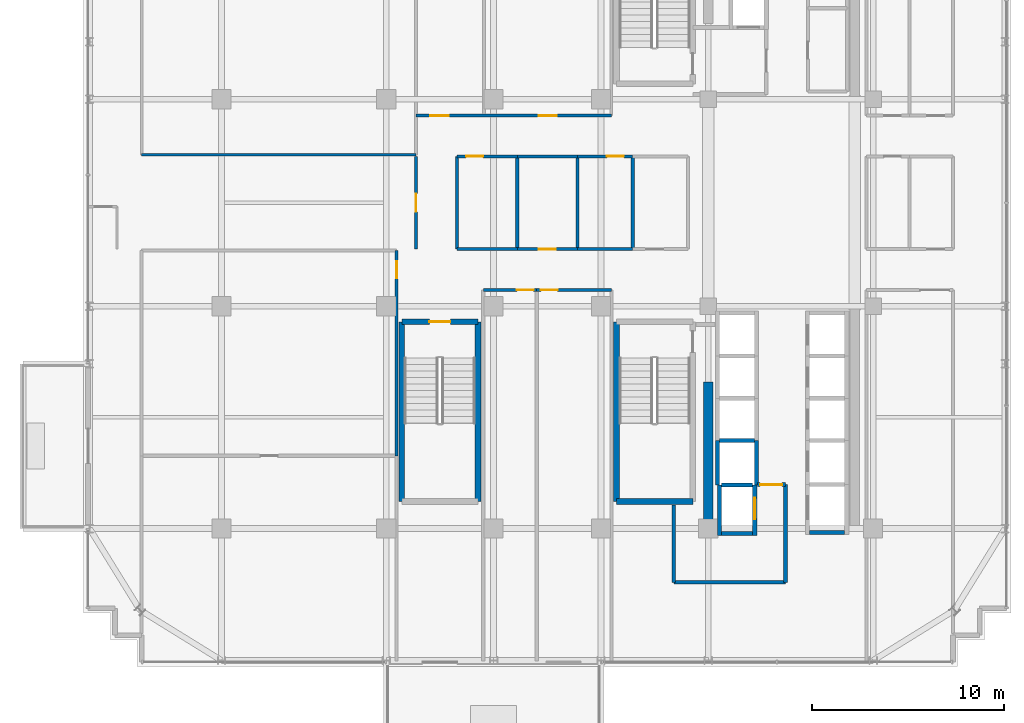
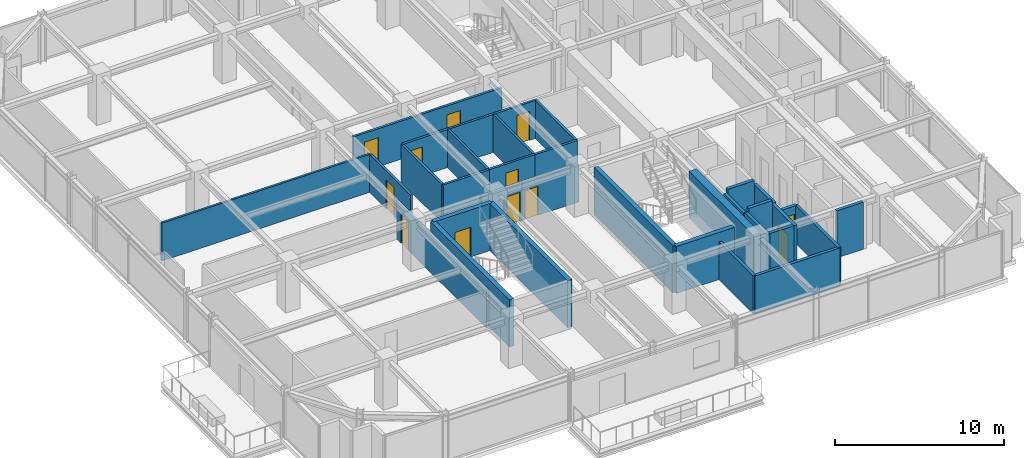
# One storey, part 26 of 32: 34 walls, 12 doors, 12 openings.
"""IFC4 building model written with IfcOpenShell, lengths in metres."""

from ifc_helpers import new_model, si_unit, direction, frame, frame_2d, origin, place, context, subcontext, project, spatial, rectangle, extrude, source, transform, mapped, material, layer, layer_set, type_object, element, fill, save


model = new_model("IFC4")

# Units and contexts
model_context = context("Model", 3, precision=1e-05, world=origin(), true_north=direction((0.0, 1.0)))
body_context = subcontext(model_context, "Body", "Model", "MODEL_VIEW")
ifc_project = project(units=[si_unit("LENGTHUNIT", "METRE"), si_unit("AREAUNIT", "SQUARE_METRE"), si_unit("VOLUMEUNIT", "CUBIC_METRE"), si_unit("PLANEANGLEUNIT", "RADIAN"), si_unit("MASSUNIT", "GRAM", prefix="KILO")], contexts=[model_context])

# Site, building, storey
site_placement = place(None, origin())
site = spatial("IfcSite", under=ifc_project, at=site_placement, CompositionType="ELEMENT")
building_placement = place(site_placement, origin())
building = spatial("IfcBuilding", under=site, at=building_placement, Name="Nahalor Promenade Grand Hotel", CompositionType="ELEMENT")
storey_placement = place(building_placement, frame((0.0, 0.0, 230.800048828125)))
storey = spatial("IfcBuildingStorey", under=building, at=storey_placement, Name="L59", CompositionType="ELEMENT", Elevation=230.800048828125)

# Walls
ifc_material_1 = material(Name="Concrete B-60 (C50/60)", Category="concrete")
ifc_layer_1 = layer(ifc_material_1, 0.5)
ifc_layer_set_1 = layer_set([ifc_layer_1], Name="Concrete B-60 (C50/60)")
wall_type_1 = type_object("IfcWallType", Name="Wall-CoreShear-500", PredefinedType="SHEAR", material=ifc_layer_set_1)
shared_shape_1 = source(origin(), body_context, "Body", "SweptSolid", [
    extrude(rectangle(XDim=7.64990234375, YDim=0.5, at=frame_2d((3.824951171875, 0.0))), origin(), (0.0, 0.0, 1.0), 3.409912109375),
])
wall_1_placement = place(storey_placement, frame((8.39990234375, -17.0, 0.0), z_axis=(0.0, 0.0, 1.0), x_axis=(0.0, 1.0, 0.0)))
element("IfcWall", 1, at=wall_1_placement, inside=storey, type_object=wall_type_1, Name="CWALL-L59-SW", PredefinedType="SHEAR", context=body_context, shape_type="MappedRepresentation", body=[
    mapped(shared_shape_1, transform((0.0, 0.0, 0.0), scale=1.0)),
])
ifc_material_2 = material(Name="Concrete B-50 (C40/50)", Category="concrete")
ifc_layer_2 = layer(ifc_material_2, 0.300048828125)
ifc_layer_set_2 = layer_set([ifc_layer_2], Name="Concrete B-50 (C40/50)")
wall_type_2 = type_object("IfcWallType", Name="Wall-ShaftShear-300", PredefinedType="SHEAR", material=ifc_layer_set_2)
shared_shape_2 = source(origin(), body_context, "Body", "SweptSolid", [
    extrude(rectangle(XDim=3.97998046875, YDim=0.300048828125, at=frame_2d((1.989990234375, 0.0))), origin(), (0.0, 0.0, 1.0), 3.409912109375),
])
wall_2_placement = place(storey_placement, frame((3.610107421875, -15.590087890625, 0.0), z_axis=(0.0, 0.0, 1.0), x_axis=(1.0, 0.0, 0.0)))
element("IfcWall", 2, at=wall_2_placement, inside=storey, type_object=wall_type_2, Name="L59 Exit Stair ST2 Shaft Wall S", PredefinedType="SHEAR", context=body_context, shape_type="MappedRepresentation", body=[
    mapped(shared_shape_2, transform((0.0, 0.0, 0.0), scale=1.0)),
])

# Wall, opening, door
wall_3_placement = place(storey_placement, frame((-7.590087890625, -6.2099609375, 0.0), z_axis=(0.0, 0.0, 1.0), x_axis=(1.0, 0.0, 0.0)))
wall_3 = element("IfcWall", 3, at=wall_3_placement, inside=storey, type_object=wall_type_2, Name="L59 Exit Stair ST3 Shaft Wall N", PredefinedType="SHEAR", context=body_context, shape_type="MappedRepresentation", body=[
    mapped(shared_shape_2, transform((0.0, 0.0, 0.0), scale=1.0)),
])
opening_1_placement = place(wall_3_placement, frame((1.43994140625, 0.0, 0.0)))
opening_1 = element("IfcOpeningElement", 4, at=opening_1_placement, cuts=wall_3, Name="Opening D-ST1", PredefinedType="OPENING", context=body_context, shape_type="SweptSolid", body=[
    extrude(rectangle(XDim=1.10009765625, YDim=2.14990234375, at=frame_2d((0.550048828125, 1.074951171875))), frame((0.0, 0.159912109375, 0.0), z_axis=(0.0, -1.0, 0.0), x_axis=(1.0, 0.0, 0.0)), (0.0, 0.0, 1.0), 0.320068359375),
])
ifc_material_3 = material(Name="Steel S355JR", Category="steel")
door_type_1 = type_object("IfcDoorType", Name="Door-StairFire-1100", OperationType="NOTDEFINED", PredefinedType="DOOR", material=ifc_material_3)
shared_shape_3 = source(origin(), body_context, "Body", "SweptSolid", [
    extrude(rectangle(XDim=1.10009765625, YDim=2.14990234375, at=frame_2d((0.550048828125, 1.074951171875))), frame((0.0, 0.02490234375, 0.0), z_axis=(0.0, -1.0, 0.0), x_axis=(1.0, 0.0, 0.0)), (0.0, 0.0, 1.0), 0.050048828125),
])
door_1_placement = place(opening_1_placement, frame((1.10009765625, 0.0, 0.0), z_axis=(0.0, 0.0, 1.0), x_axis=(-1.0, 0.0, 0.0)))
door_1 = element("IfcDoor", 5, at=door_1_placement, inside=storey, type_object=door_type_1, Name="DR-STAIR-ST3-L59", OperationType="SINGLE_SWING_RIGHT", OverallHeight=2.14990234375, OverallWidth=1.10009765625, PredefinedType="DOOR", context=body_context, shape_type="MappedRepresentation", body=[
    mapped(shared_shape_3, transform((0.0, 0.0, 0.0), scale=1.0)),
])
fill(opening_1, door_1)

# Walls
shared_shape_4 = source(origin(), body_context, "Body", "SweptSolid", [
    extrude(rectangle(XDim=9.380126953125, YDim=0.300048828125, at=frame_2d((4.68994140625, 0.0))), origin(), (0.0, 0.0, 1.0), 3.409912109375),
])
for number, where, z_axis, x_axis, name in (
    (6, (3.610107421875, -15.590087890625, 0.0), (0.0, 0.0, 1.0), (0.0, 1.0, 0.0), "L59 Exit Stair ST2 Shaft Wall W"),
    (7, (-7.590087890625, -15.590087890625, 0.0), (0.0, 0.0, 1.0), (0.0, 1.0, 0.0), "L59 Exit Stair ST3 Shaft Wall W"),
    (8, (-3.610107421875, -15.590087890625, 0.0), (0.0, 0.0, 1.0), (0.0, 1.0, 0.0), "L59 Exit Stair ST3 Shaft Wall E"),
):
    element("IfcWall", number, at=place(storey_placement, frame(where, z_axis=z_axis, x_axis=x_axis)), inside=storey, type_object=wall_type_2, Name=name, PredefinedType="SHEAR", context=body_context, shape_type="MappedRepresentation", body=[
        mapped(shared_shape_4, transform((0.0, 0.0, 0.0), scale=1.0)),
    ])
ifc_layer_3 = layer(ifc_material_2, 0.219970703125)
ifc_layer_set_3 = layer_set([ifc_layer_3], Name="Concrete B-50 (C40/50)")
wall_type_3 = type_object("IfcWallType", Name="Wall-LiftShaft-220", PredefinedType="SHEAR", material=ifc_layer_set_3)
shared_shape_5 = source(origin(), body_context, "Body", "SweptSolid", [
    extrude(rectangle(XDim=1.820068359375, YDim=0.219970703125, at=frame_2d((0.91015625, 0.0))), origin(), (0.0, 0.0, 1.0), 3.409912109375),
])
wall_4_placement = place(storey_placement, frame((13.68994140625, -17.199951171875, 0.0), z_axis=(0.0, 0.0, 1.0), x_axis=(1.0, 0.0, 0.0)))
element("IfcWall", 9, at=wall_4_placement, inside=storey, type_object=wall_type_3, Name="L59 Lift SV2 Hoistway Wall S", PredefinedType="SHEAR", context=body_context, shape_type="MappedRepresentation", body=[
    mapped(shared_shape_5, transform((0.0, 0.0, 0.0), scale=1.0)),
])
shared_shape_6 = source(origin(), body_context, "Body", "SweptSolid", [
    extrude(rectangle(XDim=1.820068359375, YDim=0.219970703125, at=frame_2d((0.91015625, 0.0))), origin(), (0.0, 0.0, 1.0), 3.699951171875),
])
wall_5_placement = place(storey_placement, frame((8.989990234375, -12.39990234375, 0.0), z_axis=(0.0, 0.0, 1.0), x_axis=(1.0, 0.0, 0.0)))
element("IfcWall", 10, at=wall_5_placement, inside=storey, type_object=wall_type_3, Name="L59 Lift PL12 Hoistway Wall N", PredefinedType="SHEAR", context=body_context, shape_type="MappedRepresentation", body=[
    mapped(shared_shape_6, transform((0.0, 0.0, 0.0), scale=1.0)),
])
shared_shape_7 = source(origin(), body_context, "Body", "SweptSolid", [
    extrude(rectangle(XDim=2.3251953125, YDim=0.219970703125, at=frame_2d((1.16259765625, 0.0))), origin(), (0.0, 0.0, 1.0), 3.409912109375),
])
for number, where, z_axis, x_axis, name in (
    (11, (8.8798828125, -14.72509765625, 0.0), (0.0, 0.0, 1.0), (0.0, 1.0, 0.0), "L59 Lift PL12 Hoistway Wall W"),
    (12, (10.919921875, -14.72509765625, 0.0), (0.0, 0.0, 1.0), (0.0, 1.0, 0.0), "L59 Lift PL12 Hoistway Wall E"),
):
    element("IfcWall", number, at=place(storey_placement, frame(where, z_axis=z_axis, x_axis=x_axis)), inside=storey, type_object=wall_type_3, Name=name, PredefinedType="SHEAR", context=body_context, shape_type="MappedRepresentation", body=[
        mapped(shared_shape_7, transform((0.0, 0.0, 0.0), scale=1.0)),
    ])
shared_shape_8 = source(origin(), body_context, "Body", "SweptSolid", [
    extrude(rectangle(XDim=2.635009765625, YDim=0.219970703125, at=frame_2d((1.3173828125, 0.0))), origin(), (0.0, 0.0, 1.0), 3.409912109375),
])
wall_6_placement = place(storey_placement, frame((8.97998046875, -17.360107421875, 0.0), z_axis=(0.0, 0.0, 1.0), x_axis=(0.0, 1.0, 0.0)))
element("IfcWall", 13, at=wall_6_placement, inside=storey, type_object=wall_type_3, Name="L59 Lift FL2 Hoistway Wall W", PredefinedType="SHEAR", context=body_context, shape_type="MappedRepresentation", body=[
    mapped(shared_shape_8, transform((0.0, 0.0, 0.0), scale=1.0)),
])

# Wall, opening, door
wall_7_placement = place(storey_placement, frame((10.820068359375, -17.360107421875, 0.0), z_axis=(0.0, 0.0, 1.0), x_axis=(0.0, 1.0, 0.0)))
wall_7 = element("IfcWall", 14, at=wall_7_placement, inside=storey, type_object=wall_type_3, Name="L59 Lift FL2 Hoistway Wall E", PredefinedType="SHEAR", context=body_context, shape_type="MappedRepresentation", body=[
    mapped(shared_shape_8, transform((0.0, 0.0, 0.0), scale=1.0)),
])
opening_2_placement = place(wall_7_placement, frame((0.860107421875, 0.0, 0.0)))
opening_2 = element("IfcOpeningElement", 15, at=opening_2_placement, cuts=wall_7, Name="Opening LD-02", PredefinedType="OPENING", context=body_context, shape_type="SweptSolid", body=[
    extrude(rectangle(XDim=1.10009765625, YDim=2.199951171875, at=frame_2d((0.550048828125, 1.10009765625))), frame((0.0, 0.119873046875, 0.0), z_axis=(0.0, -1.0, 0.0), x_axis=(1.0, 0.0, 0.0)), (0.0, 0.0, 1.0), 0.239990234375),
])
door_type_2 = type_object("IfcDoorType", Name="Door-LiftFF-1100", OperationType="DOUBLE_DOOR_SLIDING", PredefinedType="DOOR", material=ifc_material_3)
shared_shape_9 = source(origin(), body_context, "Body", "SweptSolid", [
    extrude(rectangle(XDim=1.10009765625, YDim=2.199951171875, at=frame_2d((0.550048828125, 1.10009765625))), frame((0.0, 0.02490234375, 0.0), z_axis=(0.0, -1.0, 0.0), x_axis=(1.0, 0.0, 0.0)), (0.0, 0.0, 1.0), 0.050048828125),
])
door_2_placement = place(opening_2_placement, frame((1.10009765625, 0.0, 0.0), z_axis=(0.0, 0.0, 1.0), x_axis=(-1.0, 0.0, 0.0)))
door_2 = element("IfcDoor", 16, at=door_2_placement, inside=storey, type_object=door_type_2, Name="DR-LIFT-FL2-L59", OperationType="DOUBLE_DOOR_SLIDING", OverallHeight=2.199951171875, OverallWidth=1.10009765625, PredefinedType="DOOR", context=body_context, shape_type="MappedRepresentation", body=[
    mapped(shared_shape_9, transform((0.0, 0.0, 0.0), scale=1.0)),
])
fill(opening_2, door_2)

# Walls
shared_shape_10 = source(origin(), body_context, "Body", "SweptSolid", [
    extrude(rectangle(XDim=1.619873046875, YDim=0.219970703125, at=frame_2d((0.81005859375, 0.0))), origin(), (0.0, 0.0, 1.0), 3.409912109375),
])
wall_8_placement = place(storey_placement, frame((9.090087890625, -17.25, 0.0), z_axis=(0.0, 0.0, 1.0), x_axis=(1.0, 0.0, 0.0)))
element("IfcWall", 17, at=wall_8_placement, inside=storey, type_object=wall_type_3, Name="L59 Lift FL2 Hoistway Wall S", PredefinedType="SHEAR", context=body_context, shape_type="MappedRepresentation", body=[
    mapped(shared_shape_10, transform((0.0, 0.0, 0.0), scale=1.0)),
])
shared_shape_11 = source(origin(), body_context, "Body", "SweptSolid", [
    extrude(rectangle(XDim=1.619873046875, YDim=0.219970703125, at=frame_2d((0.81005859375, 0.0))), origin(), (0.0, 0.0, 1.0), 3.699951171875),
])
wall_9_placement = place(storey_placement, frame((9.090087890625, -14.72509765625, 0.0), z_axis=(0.0, 0.0, 1.0), x_axis=(1.0, 0.0, 0.0)))
element("IfcWall", 18, at=wall_9_placement, inside=storey, type_object=wall_type_3, Name="L59 Lift FL2 Hoistway Wall N", PredefinedType="SHEAR", context=body_context, shape_type="MappedRepresentation", body=[
    mapped(shared_shape_11, transform((0.0, 0.0, 0.0), scale=1.0)),
])
ifc_material_4 = material(Name="Concrete B-40 (C32/40)", Category="concrete")
ifc_layer_4 = layer(ifc_material_4, 0.199951171875)
ifc_layer_set_4 = layer_set([ifc_layer_4], Name="Concrete B-40 (C32/40)")
wall_type_4 = type_object("IfcWallType", Name="Wall-PartFire-200", PredefinedType="PARTITIONING", material=ifc_layer_set_4)
shared_shape_12 = source(origin(), body_context, "Body", "SweptSolid", [
    extrude(rectangle(XDim=5.81982421875, YDim=0.199951171875, at=frame_2d((2.909912109375, 0.0))), origin(), (0.0, 0.0, 1.0), 2.75),
])
wall_10_placement = place(storey_placement, frame((6.60009765625, -19.800048828125, 0.0), z_axis=(0.0, 0.0, 1.0), x_axis=(1.0, 0.0, 0.0)))
element("IfcWall", 19, at=wall_10_placement, inside=storey, type_object=wall_type_4, Name="W-L59-FF2-S1", PredefinedType="PARTITIONING", context=body_context, shape_type="MappedRepresentation", body=[
    mapped(shared_shape_12, transform((0.0, 0.0, 0.0), scale=1.0)),
])
shared_shape_13 = source(origin(), body_context, "Body", "SweptSolid", [
    extrude(rectangle(XDim=4.030029296875, YDim=0.199951171875, at=frame_2d((2.01513671875, 0.0))), origin(), (0.0, 0.0, 1.0), 2.75),
])
wall_11_placement = place(storey_placement, frame((6.60009765625, -19.800048828125, 0.0), z_axis=(0.0, 0.0, 1.0), x_axis=(0.0, 1.0, 0.0)))
element("IfcWall", 20, at=wall_11_placement, inside=storey, type_object=wall_type_4, Name="W-L59-FF2-W1", PredefinedType="PARTITIONING", context=body_context, shape_type="MappedRepresentation", body=[
    mapped(shared_shape_13, transform((0.0, 0.0, 0.0), scale=1.0)),
])
shared_shape_14 = source(origin(), body_context, "Body", "SweptSolid", [
    extrude(rectangle(XDim=5.10009765625, YDim=0.199951171875, at=frame_2d((2.550048828125, 0.0))), origin(), (0.0, 0.0, 1.0), 2.75),
])
wall_12_placement = place(storey_placement, frame((12.419921875, -19.800048828125, 0.0), z_axis=(0.0, 0.0, 1.0), x_axis=(0.0, 1.0, 0.0)))
element("IfcWall", 21, at=wall_12_placement, inside=storey, type_object=wall_type_4, Name="W-L59-FF2-E", PredefinedType="PARTITIONING", context=body_context, shape_type="MappedRepresentation", body=[
    mapped(shared_shape_14, transform((0.0, 0.0, 0.0), scale=1.0)),
])

# Wall, opening, door
shared_shape_15 = source(origin(), body_context, "Body", "SweptSolid", [
    extrude(rectangle(XDim=1.4599609375, YDim=0.199951171875, at=frame_2d((0.72998046875, 0.0))), origin(), (0.0, 0.0, 1.0), 2.75),
])
wall_13_placement = place(storey_placement, frame((10.9599609375, -14.699951171875, 0.0), z_axis=(0.0, 0.0, 1.0), x_axis=(1.0, 0.0, 0.0)))
wall_13 = element("IfcWall", 22, at=wall_13_placement, inside=storey, type_object=wall_type_4, Name="W-L59-FF2-N1", PredefinedType="PARTITIONING", context=body_context, shape_type="MappedRepresentation", body=[
    mapped(shared_shape_15, transform((0.0, 0.0, 0.0), scale=1.0)),
])
opening_3_placement = place(wall_13_placement, frame((0.14501953125, 0.0, 0.0)))
opening_3 = element("IfcOpeningElement", 23, at=opening_3_placement, cuts=wall_13, Name="Opening D-FF1", PredefinedType="OPENING", context=body_context, shape_type="SweptSolid", body=[
    extrude(rectangle(XDim=1.14990234375, YDim=2.14990234375, at=frame_2d((0.574951171875, 1.074951171875))), frame((0.0, 0.10986328125, 0.0), z_axis=(0.0, -1.0, 0.0), x_axis=(1.0, 0.0, 0.0)), (0.0, 0.0, 1.0), 0.219970703125),
])
door_type_3 = type_object("IfcDoorType", Name="Door-FFLobby-1150", OperationType="NOTDEFINED", PredefinedType="DOOR", material=ifc_material_3)
shared_shape_16 = source(origin(), body_context, "Body", "SweptSolid", [
    extrude(rectangle(XDim=1.14990234375, YDim=2.14990234375, at=frame_2d((0.574951171875, 1.074951171875))), frame((0.0, 0.02490234375, 0.0), z_axis=(0.0, -1.0, 0.0), x_axis=(1.0, 0.0, 0.0)), (0.0, 0.0, 1.0), 0.050048828125),
])
door_3_placement = place(opening_3_placement, origin())
door_3 = element("IfcDoor", 24, at=door_3_placement, inside=storey, type_object=door_type_3, Name="DR-L59-FFL2", OperationType="SINGLE_SWING_LEFT", OverallHeight=2.14990234375, OverallWidth=1.14990234375, PredefinedType="DOOR", context=body_context, shape_type="MappedRepresentation", body=[
    mapped(shared_shape_16, transform((0.0, 0.0, 0.0), scale=1.0)),
])
fill(opening_3, door_3)

ifc_material_5 = material(Name="Acoustic Mineral Gypsum", Category="gypsum")
ifc_layer_5 = layer(ifc_material_5, 0.159912109375)
ifc_layer_set_5 = layer_set([ifc_layer_5], Name="Acoustic Mineral Gypsum")
wall_type_5 = type_object("IfcWallType", Name="Wall-PartCorridor-160", PredefinedType="PARTITIONING", material=ifc_layer_set_5)
shared_shape_17 = source(origin(), body_context, "Body", "SweptSolid", [
    extrude(rectangle(XDim=4.83984375, YDim=0.159912109375, at=frame_2d((2.419921875, 0.0))), origin(), (0.0, 0.0, 1.0), 2.75),
])
wall_14_placement = place(storey_placement, frame((-6.85009765625, -2.419921875, 0.0), z_axis=(0.0, 0.0, 1.0), x_axis=(0.0, 1.0, 0.0)))
wall_14 = element("IfcWall", 25, at=wall_14_placement, inside=storey, type_object=wall_type_5, Name="W-L59-WEST-E", PredefinedType="PARTITIONING", context=body_context, shape_type="MappedRepresentation", body=[
    mapped(shared_shape_17, transform((0.0, 0.0, 0.0), scale=1.0)),
])
opening_4_placement = place(wall_14_placement, frame((1.945068359375, 0.0, 0.0)))
opening_4 = element("IfcOpeningElement", 26, at=opening_4_placement, cuts=wall_14, Name="Opening D-01", PredefinedType="OPENING", context=body_context, shape_type="SweptSolid", body=[
    extrude(rectangle(XDim=0.949951171875, YDim=2.10009765625, at=frame_2d((0.47509765625, 1.050048828125))), frame((0.0, 0.08984375, 0.0), z_axis=(0.0, -1.0, 0.0), x_axis=(1.0, 0.0, 0.0)), (0.0, 0.0, 1.0), 0.179931640625),
])
ifc_material_6 = material(Name="Fire-Rated Timber Composite", Category="wood")
door_type_4 = type_object("IfcDoorType", Name="Door-GuestEntry-950", OperationType="NOTDEFINED", PredefinedType="DOOR", material=ifc_material_6)
shared_shape_18 = source(origin(), body_context, "Body", "SweptSolid", [
    extrude(rectangle(XDim=0.949951171875, YDim=2.10009765625, at=frame_2d((0.47509765625, 1.050048828125))), frame((0.0, 0.02490234375, 0.0), z_axis=(0.0, -1.0, 0.0), x_axis=(1.0, 0.0, 0.0)), (0.0, 0.0, 1.0), 0.050048828125),
])
door_4_placement = place(opening_4_placement, origin())
door_4 = element("IfcDoor", 27, at=door_4_placement, inside=storey, type_object=door_type_4, Name="DR-L59-W1-ENT", OperationType="SINGLE_SWING_LEFT", OverallHeight=2.10009765625, OverallWidth=0.949951171875, PredefinedType="DOOR", context=body_context, shape_type="MappedRepresentation", body=[
    mapped(shared_shape_18, transform((0.0, 0.0, 0.0), scale=1.0)),
])
fill(opening_4, door_4)

# Walls
for number, where, z_axis, x_axis, name in (
    (28, (-4.699951171875, -2.419921875, 0.0), (0.0, 0.0, 1.0), (0.0, 1.0, 0.0), "W-L59-CM1-W"),
    (29, (-1.56689453125, -2.419921875, 0.0), (0.0, 0.0, 1.0), (0.0, 1.0, 0.0), "W-L59-CM1-E"),
    (30, (1.56591796875, -2.419921875, 0.0), (0.0, 0.0, 1.0), (0.0, 1.0, 0.0), "W-L59-CM2-E"),
    (31, (4.4580078125, -2.419921875, 0.0), (0.0, 0.0, 1.0), (0.0, 1.0, 0.0), "W-L59-CM3-E"),
):
    element("IfcWall", number, at=place(storey_placement, frame(where, z_axis=z_axis, x_axis=x_axis)), inside=storey, type_object=wall_type_5, Name=name, PredefinedType="PARTITIONING", context=body_context, shape_type="MappedRepresentation", body=[
        mapped(shared_shape_17, transform((0.0, 0.0, 0.0), scale=1.0)),
    ])

# Wall, opening, door
shared_shape_19 = source(origin(), body_context, "Body", "SweptSolid", [
    extrude(rectangle(XDim=2.7900390625, YDim=0.159912109375, at=frame_2d((1.39501953125, 0.0))), origin(), (0.0, 0.0, 1.0), 2.75),
])
wall_15_placement = place(storey_placement, frame((-3.340087890625, -4.550048828125, 0.0), z_axis=(0.0, 0.0, 1.0), x_axis=(1.0, 0.0, 0.0)))
wall_15 = element("IfcWall", 32, at=wall_15_placement, inside=storey, type_object=wall_type_5, Name="W-L59-SCB1-N", PredefinedType="PARTITIONING", context=body_context, shape_type="MappedRepresentation", body=[
    mapped(shared_shape_19, transform((0.0, 0.0, 0.0), scale=1.0)),
])
opening_5_placement = place(wall_15_placement, frame((1.75, 0.0, 0.0)))
opening_5 = element("IfcOpeningElement", 33, at=opening_5_placement, cuts=wall_15, Name="Opening D-03", PredefinedType="OPENING", context=body_context, shape_type="SweptSolid", body=[
    extrude(rectangle(XDim=0.8798828125, YDim=2.10009765625, at=frame_2d((0.43994140625, 1.050048828125))), frame((0.0, 0.08984375, 0.0), z_axis=(0.0, -1.0, 0.0), x_axis=(1.0, 0.0, 0.0)), (0.0, 0.0, 1.0), 0.179931640625),
])
door_type_5 = type_object("IfcDoorType", Name="Door-BathSwing-880", OperationType="NOTDEFINED", PredefinedType="DOOR", material=ifc_material_6)
shared_shape_20 = source(origin(), body_context, "Body", "SweptSolid", [
    extrude(rectangle(XDim=0.8798828125, YDim=2.10009765625, at=frame_2d((0.43994140625, 1.050048828125))), frame((0.0, 0.02490234375, 0.0), z_axis=(0.0, -1.0, 0.0), x_axis=(1.0, 0.0, 0.0)), (0.0, 0.0, 1.0), 0.050048828125),
])
door_5_placement = place(opening_5_placement, frame((0.8798828125, 0.0, 0.0), z_axis=(0.0, 0.0, 1.0), x_axis=(-1.0, 0.0, 0.0)))
door_5 = element("IfcDoor", 34, at=door_5_placement, inside=storey, type_object=door_type_5, Name="DR-L59-SCB1", OperationType="SINGLE_SWING_RIGHT", OverallHeight=2.10009765625, OverallWidth=0.8798828125, PredefinedType="DOOR", context=body_context, shape_type="MappedRepresentation", body=[
    mapped(shared_shape_20, transform((0.0, 0.0, 0.0), scale=1.0)),
])
fill(opening_5, door_5)

shared_shape_21 = source(origin(), body_context, "Body", "SweptSolid", [
    extrude(rectangle(XDim=3.89013671875, YDim=0.159912109375, at=frame_2d((1.945068359375, 0.0))), origin(), (0.0, 0.0, 1.0), 2.75),
])
wall_16_placement = place(storey_placement, frame((-0.550048828125, -4.550048828125, 0.0), z_axis=(0.0, 0.0, 1.0), x_axis=(1.0, 0.0, 0.0)))
wall_16 = element("IfcWall", 35, at=wall_16_placement, inside=storey, type_object=wall_type_5, Name="W-L59-SCB2-N", PredefinedType="PARTITIONING", context=body_context, shape_type="MappedRepresentation", body=[
    mapped(shared_shape_21, transform((0.0, 0.0, 0.0), scale=1.0)),
])
opening_6_placement = place(wall_16_placement, frame((0.2099609375, 0.0, 0.0)))
opening_6 = element("IfcOpeningElement", 36, at=opening_6_placement, cuts=wall_16, Name="Opening D-03", PredefinedType="OPENING", context=body_context, shape_type="SweptSolid", body=[
    extrude(rectangle(XDim=0.8798828125, YDim=2.10009765625, at=frame_2d((0.43994140625, 1.050048828125))), frame((0.0, 0.08984375, 0.0), z_axis=(0.0, -1.0, 0.0), x_axis=(1.0, 0.0, 0.0)), (0.0, 0.0, 1.0), 0.179931640625),
])
door_6_placement = place(opening_6_placement, frame((0.8798828125, 0.0, 0.0), z_axis=(0.0, 0.0, 1.0), x_axis=(-1.0, 0.0, 0.0)))
door_6 = element("IfcDoor", 37, at=door_6_placement, inside=storey, type_object=door_type_5, Name="DR-L59-SCB2", OperationType="SINGLE_SWING_LEFT", OverallHeight=2.10009765625, OverallWidth=0.8798828125, PredefinedType="DOOR", context=body_context, shape_type="MappedRepresentation", body=[
    mapped(shared_shape_20, transform((0.0, 0.0, 0.0), scale=1.0)),
])
fill(opening_6, door_6)

shared_shape_22 = source(origin(), body_context, "Body", "SweptSolid", [
    extrude(rectangle(XDim=10.699951171875, YDim=0.159912109375, at=frame_2d((5.35009765625, 0.0))), origin(), (0.0, 0.0, 1.0), 2.75),
])
wall_17_placement = place(storey_placement, frame((-7.860107421875, -13.199951171875, 0.0), z_axis=(0.0, 0.0, 1.0), x_axis=(0.0, 1.0, 0.0)))
wall_17 = element("IfcWall", 38, at=wall_17_placement, inside=storey, type_object=wall_type_5, Name="W-L59-SW0B-E", PredefinedType="PARTITIONING", context=body_context, shape_type="MappedRepresentation", body=[
    mapped(shared_shape_22, transform((0.0, 0.0, 0.0), scale=1.0)),
])
opening_7_placement = place(wall_17_placement, frame((9.260009765625, 0.0, 0.0)))
opening_7 = element("IfcOpeningElement", 39, at=opening_7_placement, cuts=wall_17, Name="Opening D-03", PredefinedType="OPENING", context=body_context, shape_type="SweptSolid", body=[
    extrude(rectangle(XDim=0.8798828125, YDim=2.10009765625, at=frame_2d((0.43994140625, 1.050048828125))), frame((0.0, 0.08984375, 0.0), z_axis=(0.0, -1.0, 0.0), x_axis=(1.0, 0.0, 0.0)), (0.0, 0.0, 1.0), 0.179931640625),
])
door_7_placement = place(opening_7_placement, origin())
door_7 = element("IfcDoor", 40, at=door_7_placement, inside=storey, type_object=door_type_5, Name="DR-L59-SW0B", OperationType="SINGLE_SWING_LEFT", OverallHeight=2.10009765625, OverallWidth=0.8798828125, PredefinedType="DOOR", context=body_context, shape_type="MappedRepresentation", body=[
    mapped(shared_shape_20, transform((0.0, 0.0, 0.0), scale=1.0)),
])
fill(opening_7, door_7)

# Wall, openings, doors
shared_shape_23 = source(origin(), body_context, "Body", "SweptSolid", [
    extrude(rectangle(XDim=10.190185546875, YDim=0.159912109375, at=frame_2d((5.09521484375, 0.0))), origin(), (0.0, 0.0, 1.0), 2.75),
])
wall_18_placement = place(storey_placement, frame((-6.85009765625, 4.550048828125, 0.0), z_axis=(0.0, 0.0, 1.0), x_axis=(1.0, 0.0, 0.0)))
wall_18 = element("IfcWall", 41, at=wall_18_placement, inside=storey, type_object=wall_type_5, Name="W-L59-CORR-N", PredefinedType="PARTITIONING", context=body_context, shape_type="MappedRepresentation", body=[
    mapped(shared_shape_23, transform((0.0, 0.0, 0.0), scale=1.0)),
])
opening_8_placement = place(wall_18_placement, frame((0.7548828125, 0.0, 0.0)))
opening_8 = element("IfcOpeningElement", 42, at=opening_8_placement, cuts=wall_18, Name="Opening D-01", PredefinedType="OPENING", context=body_context, shape_type="SweptSolid", body=[
    extrude(rectangle(XDim=0.949951171875, YDim=2.10009765625, at=frame_2d((0.47509765625, 1.050048828125))), frame((0.0, 0.08984375, 0.0), z_axis=(0.0, -1.0, 0.0), x_axis=(1.0, 0.0, 0.0)), (0.0, 0.0, 1.0), 0.179931640625),
])
opening_9_placement = place(wall_18_placement, frame((6.39501953125, 0.0, 0.0)))
opening_9 = element("IfcOpeningElement", 43, at=opening_9_placement, cuts=wall_18, Name="Opening D-01", PredefinedType="OPENING", context=body_context, shape_type="SweptSolid", body=[
    extrude(rectangle(XDim=0.949951171875, YDim=2.10009765625, at=frame_2d((0.47509765625, 1.050048828125))), frame((0.0, 0.08984375, 0.0), z_axis=(0.0, -1.0, 0.0), x_axis=(1.0, 0.0, 0.0)), (0.0, 0.0, 1.0), 0.179931640625),
])
door_8_placement = place(opening_8_placement, origin())
door_8 = element("IfcDoor", 44, at=door_8_placement, inside=storey, type_object=door_type_4, Name="DR-L59-N1-ENT", OperationType="SINGLE_SWING_LEFT", OverallHeight=2.10009765625, OverallWidth=0.949951171875, PredefinedType="DOOR", context=body_context, shape_type="MappedRepresentation", body=[
    mapped(shared_shape_18, transform((0.0, 0.0, 0.0), scale=1.0)),
])
fill(opening_8, door_8)
door_9_placement = place(opening_9_placement, origin())
door_9 = element("IfcDoor", 45, at=door_9_placement, inside=storey, type_object=door_type_4, Name="DR-L59-N2-ENT", OperationType="SINGLE_SWING_LEFT", OverallHeight=2.10009765625, OverallWidth=0.949951171875, PredefinedType="DOOR", context=body_context, shape_type="MappedRepresentation", body=[
    mapped(shared_shape_18, transform((0.0, 0.0, 0.0), scale=1.0)),
])
fill(opening_9, door_9)

# Walls
ifc_layer_6 = layer(ifc_material_5, 0.139892578125)
ifc_layer_set_6 = layer_set([ifc_layer_6], Name="Acoustic Mineral Gypsum")
wall_type_6 = type_object("IfcWallType", Name="Wall-PartSuite-140", PredefinedType="PARTITIONING", material=ifc_layer_set_6)
shared_shape_24 = source(origin(), body_context, "Body", "SweptSolid", [
    extrude(rectangle(XDim=14.309814453125, YDim=0.139892578125, at=frame_2d((7.15478515625, 0.0))), origin(), (0.0, 0.0, 1.0), 2.75),
])
wall_19_placement = place(storey_placement, frame((-21.159912109375, 2.5, 0.0), z_axis=(0.0, 0.0, 1.0), x_axis=(1.0, 0.0, 0.0)))
element("IfcWall", 46, at=wall_19_placement, inside=storey, type_object=wall_type_6, Name="W-L59-ZNW-S", PredefinedType="PARTITIONING", context=body_context, shape_type="MappedRepresentation", body=[
    mapped(shared_shape_24, transform((0.0, 0.0, 0.0), scale=1.0)),
])
shared_shape_25 = source(origin(), body_context, "Body", "SweptSolid", [
    extrude(rectangle(XDim=3.133056640625, YDim=0.159912109375, at=frame_2d((1.56640625, 0.0))), origin(), (0.0, 0.0, 1.0), 2.75),
])
wall_20_placement = place(storey_placement, frame((-4.699951171875, -2.419921875, 0.0), z_axis=(0.0, 0.0, 1.0), x_axis=(1.0, 0.0, 0.0)))
element("IfcWall", 47, at=wall_20_placement, inside=storey, type_object=wall_type_5, Name="W-L59-CM1-S", PredefinedType="PARTITIONING", context=body_context, shape_type="MappedRepresentation", body=[
    mapped(shared_shape_25, transform((0.0, 0.0, 0.0), scale=1.0)),
])

# Wall, opening, door
wall_21_placement = place(storey_placement, frame((-4.699951171875, 2.419921875, 0.0), z_axis=(0.0, 0.0, 1.0), x_axis=(1.0, 0.0, 0.0)))
wall_21 = element("IfcWall", 48, at=wall_21_placement, inside=storey, type_object=wall_type_5, Name="W-L59-CM1-N", PredefinedType="PARTITIONING", context=body_context, shape_type="MappedRepresentation", body=[
    mapped(shared_shape_25, transform((0.0, 0.0, 0.0), scale=1.0)),
])
opening_10_placement = place(wall_21_placement, frame((0.469970703125, 0.0, 0.0)))
opening_10 = element("IfcOpeningElement", 49, at=opening_10_placement, cuts=wall_21, Name="Opening D-03", PredefinedType="OPENING", context=body_context, shape_type="SweptSolid", body=[
    extrude(rectangle(XDim=0.8798828125, YDim=2.10009765625, at=frame_2d((0.43994140625, 1.050048828125))), frame((0.0, 0.08984375, 0.0), z_axis=(0.0, -1.0, 0.0), x_axis=(1.0, 0.0, 0.0)), (0.0, 0.0, 1.0), 0.179931640625),
])
door_10_placement = place(opening_10_placement, frame((0.8798828125, 0.0, 0.0), z_axis=(0.0, 0.0, 1.0), x_axis=(-1.0, 0.0, 0.0)))
door_10 = element("IfcDoor", 50, at=door_10_placement, inside=storey, type_object=door_type_5, Name="DR-L59-CM1", OperationType="SINGLE_SWING_RIGHT", OverallHeight=2.10009765625, OverallWidth=0.8798828125, PredefinedType="DOOR", context=body_context, shape_type="MappedRepresentation", body=[
    mapped(shared_shape_20, transform((0.0, 0.0, 0.0), scale=1.0)),
])
fill(opening_10, door_10)

shared_shape_26 = source(origin(), body_context, "Body", "SweptSolid", [
    extrude(rectangle(XDim=3.1328125, YDim=0.159912109375, at=frame_2d((1.56640625, 0.0))), origin(), (0.0, 0.0, 1.0), 2.75),
])
wall_22_placement = place(storey_placement, frame((-1.56689453125, -2.419921875, 0.0), z_axis=(0.0, 0.0, 1.0), x_axis=(1.0, 0.0, 0.0)))
wall_22 = element("IfcWall", 51, at=wall_22_placement, inside=storey, type_object=wall_type_5, Name="W-L59-CM2-S", PredefinedType="PARTITIONING", context=body_context, shape_type="MappedRepresentation", body=[
    mapped(shared_shape_26, transform((0.0, 0.0, 0.0), scale=1.0)),
])
opening_11_placement = place(wall_22_placement, frame((1.126953125, 0.0, 0.0)))
opening_11 = element("IfcOpeningElement", 52, at=opening_11_placement, cuts=wall_22, Name="Opening D-03", PredefinedType="OPENING", context=body_context, shape_type="SweptSolid", body=[
    extrude(rectangle(XDim=0.8798828125, YDim=2.10009765625, at=frame_2d((0.43994140625, 1.050048828125))), frame((0.0, 0.08984375, 0.0), z_axis=(0.0, -1.0, 0.0), x_axis=(1.0, 0.0, 0.0)), (0.0, 0.0, 1.0), 0.179931640625),
])
door_11_placement = place(opening_11_placement, origin())
door_11 = element("IfcDoor", 53, at=door_11_placement, inside=storey, type_object=door_type_5, Name="DR-L59-CM2", OperationType="SINGLE_SWING_LEFT", OverallHeight=2.10009765625, OverallWidth=0.8798828125, PredefinedType="DOOR", context=body_context, shape_type="MappedRepresentation", body=[
    mapped(shared_shape_20, transform((0.0, 0.0, 0.0), scale=1.0)),
])
fill(opening_11, door_11)

# Walls
wall_23_placement = place(storey_placement, frame((-1.56689453125, 2.419921875, 0.0), z_axis=(0.0, 0.0, 1.0), x_axis=(1.0, 0.0, 0.0)))
element("IfcWall", 54, at=wall_23_placement, inside=storey, type_object=wall_type_5, Name="W-L59-CM2-N", PredefinedType="PARTITIONING", context=body_context, shape_type="MappedRepresentation", body=[
    mapped(shared_shape_26, transform((0.0, 0.0, 0.0), scale=1.0)),
])
shared_shape_27 = source(origin(), body_context, "Body", "SweptSolid", [
    extrude(rectangle(XDim=2.89208984375, YDim=0.159912109375, at=frame_2d((1.446044921875, 0.0))), origin(), (0.0, 0.0, 1.0), 2.75),
])
wall_24_placement = place(storey_placement, frame((1.56591796875, -2.419921875, 0.0), z_axis=(0.0, 0.0, 1.0), x_axis=(1.0, 0.0, 0.0)))
element("IfcWall", 55, at=wall_24_placement, inside=storey, type_object=wall_type_5, Name="W-L59-CM3-S", PredefinedType="PARTITIONING", context=body_context, shape_type="MappedRepresentation", body=[
    mapped(shared_shape_27, transform((0.0, 0.0, 0.0), scale=1.0)),
])

# Wall, opening, door
wall_25_placement = place(storey_placement, frame((1.56591796875, 2.419921875, 0.0), z_axis=(0.0, 0.0, 1.0), x_axis=(1.0, 0.0, 0.0)))
wall_25 = element("IfcWall", 56, at=wall_25_placement, inside=storey, type_object=wall_type_5, Name="W-L59-CM3-N", PredefinedType="PARTITIONING", context=body_context, shape_type="MappedRepresentation", body=[
    mapped(shared_shape_27, transform((0.0, 0.0, 0.0), scale=1.0)),
])
opening_12_placement = place(wall_25_placement, frame((1.547119140625, 0.0, 0.0)))
opening_12 = element("IfcOpeningElement", 57, at=opening_12_placement, cuts=wall_25, Name="Opening D-03", PredefinedType="OPENING", context=body_context, shape_type="SweptSolid", body=[
    extrude(rectangle(XDim=0.8798828125, YDim=2.10009765625, at=frame_2d((0.43994140625, 1.050048828125))), frame((0.0, 0.08984375, 0.0), z_axis=(0.0, -1.0, 0.0), x_axis=(1.0, 0.0, 0.0)), (0.0, 0.0, 1.0), 0.179931640625),
])
door_12_placement = place(opening_12_placement, frame((0.8798828125, 0.0, 0.0), z_axis=(0.0, 0.0, 1.0), x_axis=(-1.0, 0.0, 0.0)))
door_12 = element("IfcDoor", 58, at=door_12_placement, inside=storey, type_object=door_type_5, Name="DR-L59-CM3", OperationType="SINGLE_SWING_RIGHT", OverallHeight=2.10009765625, OverallWidth=0.8798828125, PredefinedType="DOOR", context=body_context, shape_type="MappedRepresentation", body=[
    mapped(shared_shape_20, transform((0.0, 0.0, 0.0), scale=1.0)),
])
fill(opening_12, door_12)

save(model, "model.ifc")
